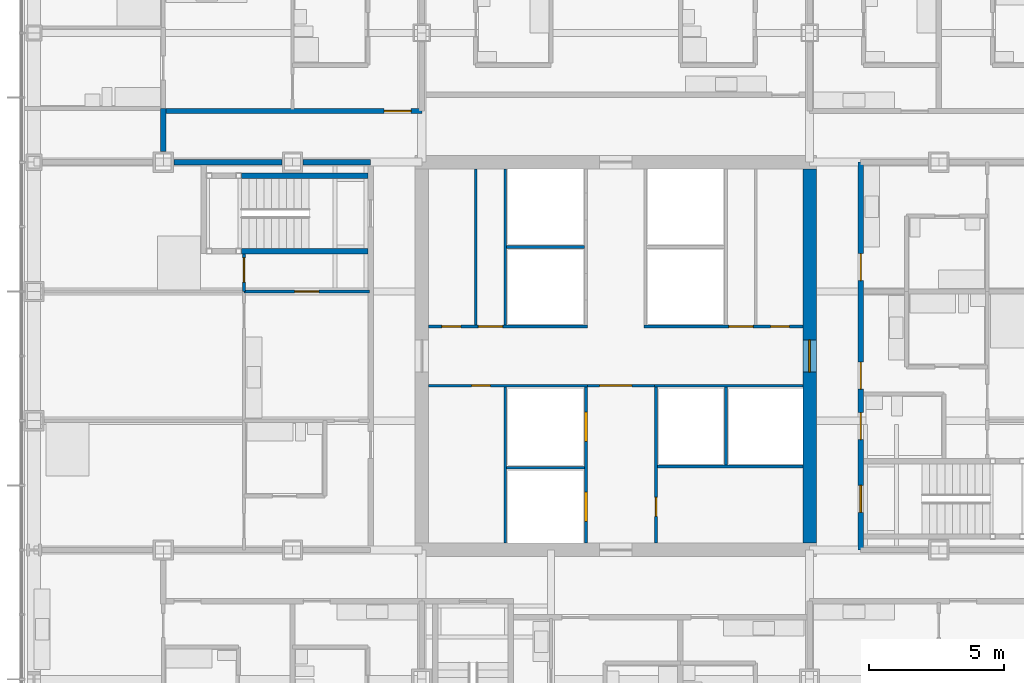
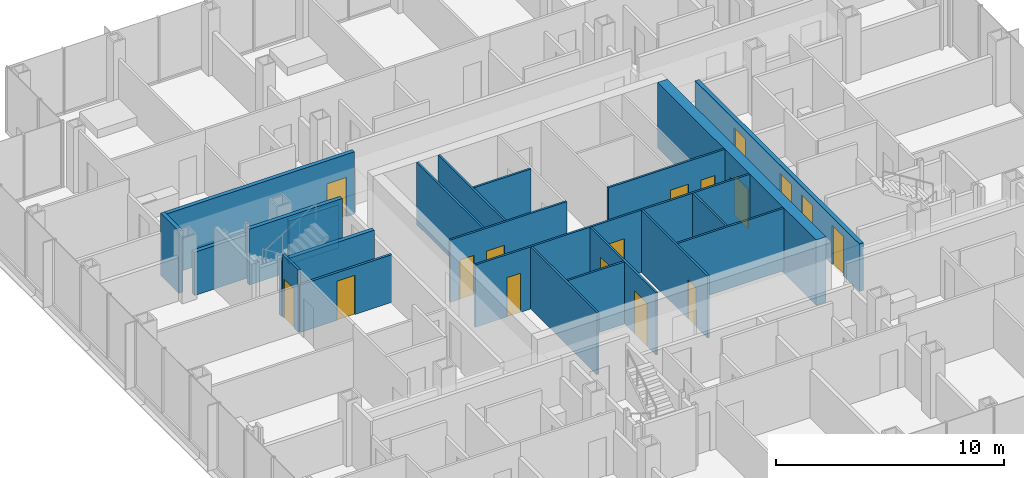
# One storey, part 15 of 21: 24 walls, 17 doors, 17 openings.
"""IFC4 building model written with IfcOpenShell, lengths in metres."""

from ifc_helpers import new_model, si_unit, direction, frame, frame_2d, origin, place, context, subcontext, project, spatial, rectangle, extrude, material, layer, layer_set, type_object, element, fill, save


model = new_model("IFC4")

# Units and contexts
model_context = context("Model", 3, precision=1e-05, world=origin(), true_north=direction((0.0, 1.0)))
body_context = subcontext(model_context, "Body", "Model", "MODEL_VIEW")
ifc_project = project(units=[si_unit("LENGTHUNIT", "METRE"), si_unit("AREAUNIT", "SQUARE_METRE"), si_unit("VOLUMEUNIT", "CUBIC_METRE"), si_unit("PLANEANGLEUNIT", "RADIAN"), si_unit("MASSUNIT", "GRAM", prefix="KILO")], contexts=[model_context])

# Site, building, storey
site_placement = place(None, origin())
site = spatial("IfcSite", under=ifc_project, at=site_placement, CompositionType="ELEMENT")
building_placement = place(site_placement, origin())
building = spatial("IfcBuilding", under=site, at=building_placement, Name="Kvirike Care Tower", CompositionType="ELEMENT")
storey_placement = place(building_placement, frame((0.0, 0.0, 44.5)))
storey = spatial("IfcBuildingStorey", under=building, at=storey_placement, Name="L11", CompositionType="ELEMENT", Elevation=44.5)

# Wall, opening, door
ifc_material_1 = material(Name="Concrete C60/75", Category="concrete")
ifc_layer_1 = layer(ifc_material_1, 0.5)
ifc_layer_set_1 = layer_set([ifc_layer_1], Name="CORE WALL 500 C60-75")
wall_type_1 = type_object("IfcWallType", Name="CORE WALL 500 C60-75", PredefinedType="SHEAR", material=ifc_layer_set_1)
wall_1_placement = place(storey_placement, frame((28.800048828125, 29.050048828125, -0.169921875), z_axis=(0.0, 0.0, 1.0), x_axis=(0.0, 1.0, 0.0)))
wall_1 = element("IfcWall", 1, at=wall_1_placement, inside=storey, type_object=wall_type_1, Name="Core wall E L11", PredefinedType="SHEAR", context=body_context, shape_type="SweptSolid", body=[
    extrude(rectangle(XDim=13.89990234375, YDim=0.5, at=frame_2d((6.949951171875, 0.0))), origin(), (0.0, 0.0, 1.0), 3.5),
])
opening_1_placement = place(wall_1_placement, frame((6.35009765625, 0.0, 0.169921875)))
opening_1 = element("IfcOpeningElement", 2, at=opening_1_placement, cuts=wall_1, Name="Opening 11-077", PredefinedType="OPENING", context=body_context, shape_type="SweptSolid", body=[
    extrude(rectangle(XDim=1.199951171875, YDim=2.10009765625, at=frame_2d((0.60009765625, 1.050048828125))), frame((0.0, 0.260498046875, 0.0), z_axis=(0.0, -1.0, 0.0), x_axis=(1.0, 0.0, 0.0)), (0.0, 0.0, 1.0), 0.52099609375),
])
ifc_material_2 = material(Name="Timber door set", Category="wood")
door_type_1 = type_object("IfcDoorType", Name="CORE DOOR 1200", OperationType="SINGLE_SWING_LEFT", PredefinedType="DOOR", material=ifc_material_2)
door_1_placement = place(opening_1_placement, origin())
door_1 = element("IfcDoor", 3, at=door_1_placement, inside=storey, type_object=door_type_1, Name="Core door E L11", OperationType="SINGLE_SWING_LEFT", OverallHeight=2.10009765625, OverallWidth=1.199951171875, PredefinedType="DOOR", context=body_context, shape_type="SweptSolid", body=[
    extrude(rectangle(XDim=1.199951171875, YDim=2.10009765625, at=frame_2d((0.60009765625, 1.050048828125))), frame((0.0, 0.02685546875, 0.0), z_axis=(0.0, -1.0, 0.0), x_axis=(1.0, 0.0, 0.0)), (0.0, 0.0, 1.0), 0.053955078125),
])
fill(opening_1, door_1)

ifc_material_3 = material(Name="Plasterboard corridor wall", Category="gypsum")
ifc_layer_2 = layer(ifc_material_3, 0.199951171875)
ifc_layer_set_2 = layer_set([ifc_layer_2], Name="CORRIDOR WALL 200")
wall_type_2 = type_object("IfcWallType", Name="CORRIDOR WALL 200", PredefinedType="PARTITIONING", material=ifc_layer_set_2)
wall_2_placement = place(storey_placement, frame((14.39990234375, 45.10009765625, 0.0), z_axis=(0.0, 0.0, 1.0), x_axis=(-1.0, 0.0, 0.0)))
wall_2 = element("IfcWall", 4, at=wall_2_placement, inside=storey, type_object=wall_type_2, Name="Corridor Wall 200 L11", PredefinedType="PARTITIONING", context=body_context, shape_type="SweptSolid", body=[
    extrude(rectangle(XDim=9.599853515625, YDim=0.199951171875, at=frame_2d((4.7998046875, 0.0))), origin(), (0.0, 0.0, 1.0), 3.330078125),
])
opening_2_placement = place(wall_2_placement, frame((0.39990234375, 0.0, 0.0)))
opening_2 = element("IfcOpeningElement", 5, at=opening_2_placement, cuts=wall_2, Name="Opening 11-023", PredefinedType="OPENING", context=body_context, shape_type="SweptSolid", body=[
    extrude(rectangle(XDim=1.0, YDim=2.10009765625, at=frame_2d((0.5, 1.050048828125))), frame((0.0, 0.110595703125, 0.0), z_axis=(0.0, -1.0, 0.0), x_axis=(1.0, 0.0, 0.0)), (0.0, 0.0, 1.0), 0.220947265625),
])
ifc_material_4 = material(Name="Timber door set", Category="wood")
door_type_2 = type_object("IfcDoorType", Name="FLAT ENTRANCE DOOR 1000", OperationType="SINGLE_SWING_LEFT", PredefinedType="DOOR", material=ifc_material_4)
door_2_placement = place(opening_2_placement, frame((1.0, 0.0, 0.0), z_axis=(0.0, 0.0, 1.0), x_axis=(-1.0, 0.0, 0.0)))
door_2 = element("IfcDoor", 6, at=door_2_placement, inside=storey, type_object=door_type_2, Name="Three-bedroom corner apartment entrance", OperationType="SINGLE_SWING_LEFT", OverallHeight=2.10009765625, OverallWidth=1.0, PredefinedType="DOOR", context=body_context, shape_type="SweptSolid", body=[
    extrude(rectangle(XDim=1.0, YDim=2.10009765625, at=frame_2d((0.5, 1.050048828125))), frame((0.0, 0.02685546875, 0.0), z_axis=(0.0, -1.0, 0.0), x_axis=(1.0, 0.0, 0.0)), (0.0, 0.0, 1.0), 0.053955078125),
])
fill(opening_2, door_2)

# Wall
wall_3_placement = place(storey_placement, frame((4.800048828125, 45.199951171875, 0.0), z_axis=(0.0, 0.0, 1.0), x_axis=(0.0, -1.0, 0.0)))
element("IfcWall", 7, at=wall_3_placement, inside=storey, type_object=wall_type_2, Name="Corridor Wall 200 L11", PredefinedType="PARTITIONING", context=body_context, shape_type="SweptSolid", body=[
    extrude(rectangle(XDim=1.60498046875, YDim=0.199951171875, at=frame_2d((0.802490234375, 0.0))), origin(), (0.0, 0.0, 1.0), 3.330078125),
])

# Wall, openings, doors
wall_4_placement = place(storey_placement, frame((30.699951171875, 28.800048828125, 0.0), z_axis=(0.0, 0.0, 1.0), x_axis=(0.0, 1.0, 0.0)))
wall_4 = element("IfcWall", 8, at=wall_4_placement, inside=storey, type_object=wall_type_2, Name="Corridor Wall 200 L11", PredefinedType="PARTITIONING", context=body_context, shape_type="SweptSolid", body=[
    extrude(rectangle(XDim=14.39990234375, YDim=0.199951171875, at=frame_2d((7.199951171875, 0.0))), origin(), (0.0, 0.0, 1.0), 2.550048828125),
])
opening_3_placement = place(wall_4_placement, frame((1.39990234375, 0.0, 0.0)))
opening_3 = element("IfcOpeningElement", 9, at=opening_3_placement, cuts=wall_4, Name="Opening 11-052", PredefinedType="OPENING", context=body_context, shape_type="SweptSolid", body=[
    extrude(rectangle(XDim=1.0, YDim=2.10009765625, at=frame_2d((0.5, 1.050048828125))), frame((0.0, 0.110595703125, 0.0), z_axis=(0.0, -1.0, 0.0), x_axis=(1.0, 0.0, 0.0)), (0.0, 0.0, 1.0), 0.220947265625),
])
opening_4_placement = place(wall_4_placement, frame((4.10009765625, 0.0, 0.0)))
opening_4 = element("IfcOpeningElement", 10, at=opening_4_placement, cuts=wall_4, Name="Opening 11-053", PredefinedType="OPENING", context=body_context, shape_type="SweptSolid", body=[
    extrude(rectangle(XDim=1.0, YDim=2.10009765625, at=frame_2d((0.5, 1.050048828125))), frame((0.0, 0.110595703125, 0.0), z_axis=(0.0, -1.0, 0.0), x_axis=(1.0, 0.0, 0.0)), (0.0, 0.0, 1.0), 0.220947265625),
])
opening_5_placement = place(wall_4_placement, frame((5.97509765625, 0.0, 0.0)))
opening_5 = element("IfcOpeningElement", 11, at=opening_5_placement, cuts=wall_4, Name="Opening 11-054", PredefinedType="OPENING", context=body_context, shape_type="SweptSolid", body=[
    extrude(rectangle(XDim=1.0, YDim=2.10009765625, at=frame_2d((0.5, 1.050048828125))), frame((0.0, 0.110595703125, 0.0), z_axis=(0.0, -1.0, 0.0), x_axis=(1.0, 0.0, 0.0)), (0.0, 0.0, 1.0), 0.220947265625),
])
opening_6_placement = place(wall_4_placement, frame((10.0, 0.0, 0.0)))
opening_6 = element("IfcOpeningElement", 12, at=opening_6_placement, cuts=wall_4, Name="Opening 11-055", PredefinedType="OPENING", context=body_context, shape_type="SweptSolid", body=[
    extrude(rectangle(XDim=1.0, YDim=2.10009765625, at=frame_2d((0.5, 1.050048828125))), frame((0.0, 0.110595703125, 0.0), z_axis=(0.0, -1.0, 0.0), x_axis=(1.0, 0.0, 0.0)), (0.0, 0.0, 1.0), 0.220947265625),
])
door_3_placement = place(opening_5_placement, frame((1.0, 0.0, 0.0), z_axis=(0.0, 0.0, 1.0), x_axis=(-1.0, 0.0, 0.0)))
door_3 = element("IfcDoor", 13, at=door_3_placement, inside=storey, type_object=door_type_2, Name="One-bedroom apartment entrance", OperationType="SINGLE_SWING_LEFT", OverallHeight=2.10009765625, OverallWidth=1.0, PredefinedType="DOOR", context=body_context, shape_type="SweptSolid", body=[
    extrude(rectangle(XDim=1.0, YDim=2.10009765625, at=frame_2d((0.5, 1.050048828125))), frame((0.0, 0.02685546875, 0.0), z_axis=(0.0, -1.0, 0.0), x_axis=(1.0, 0.0, 0.0)), (0.0, 0.0, 1.0), 0.053955078125),
])
fill(opening_5, door_3)
door_4_placement = place(opening_6_placement, frame((1.0, 0.0, 0.0), z_axis=(0.0, 0.0, 1.0), x_axis=(-1.0, 0.0, 0.0)))
door_4 = element("IfcDoor", 14, at=door_4_placement, inside=storey, type_object=door_type_2, Name="Studio apartment entrance", OperationType="SINGLE_SWING_LEFT", OverallHeight=2.10009765625, OverallWidth=1.0, PredefinedType="DOOR", context=body_context, shape_type="SweptSolid", body=[
    extrude(rectangle(XDim=1.0, YDim=2.10009765625, at=frame_2d((0.5, 1.050048828125))), frame((0.0, 0.02685546875, 0.0), z_axis=(0.0, -1.0, 0.0), x_axis=(1.0, 0.0, 0.0)), (0.0, 0.0, 1.0), 0.053955078125),
])
fill(opening_6, door_4)
ifc_material_5 = material(Name="Timber door set", Category="wood")
door_type_3 = type_object("IfcDoorType", Name="STAIR DOOR 1000", OperationType="SINGLE_SWING_LEFT", PredefinedType="DOOR", material=ifc_material_5)
door_5_placement = place(opening_3_placement, frame((1.0, 0.0, 0.0), z_axis=(0.0, 0.0, 1.0), x_axis=(-1.0, 0.0, 0.0)))
door_5 = element("IfcDoor", 15, at=door_5_placement, inside=storey, type_object=door_type_3, Name="Stair 2 door", OperationType="SINGLE_SWING_RIGHT", OverallHeight=2.10009765625, OverallWidth=1.0, PredefinedType="DOOR", context=body_context, shape_type="SweptSolid", body=[
    extrude(rectangle(XDim=1.0, YDim=2.10009765625, at=frame_2d((0.5, 1.050048828125))), frame((0.0, 0.031982421875, 0.0), z_axis=(0.0, -1.0, 0.0), x_axis=(1.0, 0.0, 0.0)), (0.0, 0.0, 1.0), 0.06396484375),
])
fill(opening_3, door_5)
ifc_material_6 = material(Name="Timber door set", Category="wood")
door_type_4 = type_object("IfcDoorType", Name="WC DOOR 1000", OperationType="SINGLE_SWING_LEFT", PredefinedType="DOOR", material=ifc_material_6)
door_6_placement = place(opening_4_placement, frame((1.0, 0.0, 0.0), z_axis=(0.0, 0.0, 1.0), x_axis=(-1.0, 0.0, 0.0)))
door_6 = element("IfcDoor", 16, at=door_6_placement, inside=storey, type_object=door_type_4, Name="Accessible WC door", OperationType="SINGLE_SWING_LEFT", OverallHeight=2.10009765625, OverallWidth=1.0, PredefinedType="DOOR", context=body_context, shape_type="SweptSolid", body=[
    extrude(rectangle(XDim=1.0, YDim=2.10009765625, at=frame_2d((0.5, 1.050048828125))), frame((0.0, 0.02685546875, 0.0), z_axis=(0.0, -1.0, 0.0), x_axis=(1.0, 0.0, 0.0)), (0.0, 0.0, 1.0), 0.053955078125),
])
fill(opening_4, door_6)

# Wall, opening, door
ifc_material_7 = material(Name="Plasterboard partition", Category="gypsum")
ifc_layer_3 = layer(ifc_material_7, 0.1201171875)
ifc_layer_set_3 = layer_set([ifc_layer_3], Name="PARTITION 120")
wall_type_3 = type_object("IfcWallType", Name="PARTITION 120", PredefinedType="PARTITIONING", material=ifc_layer_set_3)
wall_5_placement = place(storey_placement, frame((7.800048828125, 38.39990234375, 0.0), z_axis=(0.0, 0.0, 1.0), x_axis=(1.0, 0.0, 0.0)))
wall_5 = element("IfcWall", 17, at=wall_5_placement, inside=storey, type_object=wall_type_3, Name="Partition 120 L11", PredefinedType="PARTITIONING", context=body_context, shape_type="SweptSolid", body=[
    extrude(rectangle(XDim=4.64990234375, YDim=0.1201171875, at=frame_2d((2.324951171875, 0.0))), origin(), (0.0, 0.0, 1.0), 2.550048828125),
])
opening_7_placement = place(wall_5_placement, frame((1.875, 0.0, 0.0)))
opening_7 = element("IfcOpeningElement", 18, at=opening_7_placement, cuts=wall_5, Name="Opening 11-010", PredefinedType="OPENING", context=body_context, shape_type="SweptSolid", body=[
    extrude(rectangle(XDim=0.89990234375, YDim=2.10009765625, at=frame_2d((0.449951171875, 1.050048828125))), frame((0.0, 0.070556640625, 0.0), z_axis=(0.0, -1.0, 0.0), x_axis=(1.0, 0.0, 0.0)), (0.0, 0.0, 1.0), 0.14111328125),
])
ifc_material_8 = material(Name="Timber door set", Category="wood")
door_type_5 = type_object("IfcDoorType", Name="INTERNAL DOOR 900", OperationType="SINGLE_SWING_LEFT", PredefinedType="DOOR", material=ifc_material_8)
door_7_placement = place(opening_7_placement, origin())
door_7 = element("IfcDoor", 19, at=door_7_placement, inside=storey, type_object=door_type_5, Name="Hall door", OperationType="SINGLE_SWING_LEFT", OverallHeight=2.10009765625, OverallWidth=0.89990234375, PredefinedType="DOOR", context=body_context, shape_type="SweptSolid", body=[
    extrude(rectangle(XDim=0.89990234375, YDim=2.10009765625, at=frame_2d((0.449951171875, 1.050048828125))), frame((0.0, 0.02197265625, 0.0), z_axis=(0.0, -1.0, 0.0), x_axis=(1.0, 0.0, 0.0)), (0.0, 0.0, 1.0), 0.0439453125),
])
fill(opening_7, door_7)

wall_6_placement = place(storey_placement, frame((7.800048828125, 39.800048828125, 0.0), z_axis=(0.0, 0.0, 1.0), x_axis=(0.0, -1.0, 0.0)))
wall_6 = element("IfcWall", 20, at=wall_6_placement, inside=storey, type_object=wall_type_3, Name="Partition 120 L11", PredefinedType="PARTITIONING", context=body_context, shape_type="SweptSolid", body=[
    extrude(rectangle(XDim=1.400146484375, YDim=0.1201171875, at=frame_2d((0.7001953125, 0.0))), origin(), (0.0, 0.0, 1.0), 3.330078125),
])
opening_8_placement = place(wall_6_placement, frame((0.14990234375, 0.0, 0.0)))
opening_8 = element("IfcOpeningElement", 21, at=opening_8_placement, cuts=wall_6, Name="Opening 11-012", PredefinedType="OPENING", context=body_context, shape_type="SweptSolid", body=[
    extrude(rectangle(XDim=0.89990234375, YDim=2.10009765625, at=frame_2d((0.449951171875, 1.050048828125))), frame((0.0, 0.070556640625, 0.0), z_axis=(0.0, -1.0, 0.0), x_axis=(1.0, 0.0, 0.0)), (0.0, 0.0, 1.0), 0.14111328125),
])
door_8_placement = place(opening_8_placement, origin())
door_8 = element("IfcDoor", 22, at=door_8_placement, inside=storey, type_object=door_type_5, Name="Apartment bedroom door", OperationType="SINGLE_SWING_RIGHT", OverallHeight=2.10009765625, OverallWidth=0.89990234375, PredefinedType="DOOR", context=body_context, shape_type="SweptSolid", body=[
    extrude(rectangle(XDim=0.89990234375, YDim=2.10009765625, at=frame_2d((0.449951171875, 1.050048828125))), frame((0.0, 0.02197265625, 0.0), z_axis=(0.0, -1.0, 0.0), x_axis=(1.0, 0.0, 0.0)), (0.0, 0.0, 1.0), 0.0439453125),
])
fill(opening_8, door_8)

# Walls
ifc_material_9 = material(Name="Plasterboard party wall", Category="gypsum")
ifc_layer_4 = layer(ifc_material_9, 0.199951171875)
ifc_layer_set_4 = layer_set([ifc_layer_4], Name="PARTY WALL 200")
wall_type_4 = type_object("IfcWallType", Name="PARTY WALL 200", PredefinedType="PARTITIONING", material=ifc_layer_set_4)
wall_7_placement = place(storey_placement, frame((12.5, 43.199951171875, 0.0), z_axis=(0.0, 0.0, 1.0), x_axis=(-1.0, 0.0, 0.0)))
element("IfcWall", 23, at=wall_7_placement, inside=storey, type_object=wall_type_4, Name="Party Wall 200 L11", PredefinedType="PARTITIONING", context=body_context, shape_type="SweptSolid", body=[
    extrude(rectangle(XDim=2.5048828125, YDim=0.199951171875, at=frame_2d((1.25244140625, 0.0))), origin(), (0.0, 0.0, 1.0), 2.320068359375),
])
wall_8_placement = place(storey_placement, frame((9.205078125, 43.199951171875, 0.0), z_axis=(0.0, 0.0, 1.0), x_axis=(-1.0, 0.0, 0.0)))
element("IfcWall", 24, at=wall_8_placement, inside=storey, type_object=wall_type_4, Name="Party Wall 200 L11", PredefinedType="PARTITIONING", context=body_context, shape_type="SweptSolid", body=[
    extrude(rectangle(XDim=4.010009765625, YDim=0.199951171875, at=frame_2d((2.0048828125, 0.0))), origin(), (0.0, 0.0, 1.0), 2.320068359375),
])
ifc_material_10 = material(Name="Gypsum shaft wall system", Category="gypsum")
ifc_layer_5 = layer(ifc_material_10, 0.10009765625)
ifc_layer_set_5 = layer_set([ifc_layer_5], Name="SHAFT WALL 100")
wall_type_5 = type_object("IfcWallType", Name="SHAFT WALL 100", PredefinedType="SOLIDWALL", material=ifc_layer_set_5)
wall_9_placement = place(storey_placement, frame((16.39990234375, 37.14990234375, 0.0), z_axis=(0.0, 0.0, 1.0), x_axis=(0.0, 1.0, 0.0)))
element("IfcWall", 25, at=wall_9_placement, inside=storey, type_object=wall_type_5, Name="Shaft Wall 100 L11", PredefinedType="SOLIDWALL", context=body_context, shape_type="SweptSolid", body=[
    extrude(rectangle(XDim=5.800048828125, YDim=0.10009765625, at=frame_2d((2.89990234375, 0.0))), origin(), (0.0, 0.0, 1.0), 3.330078125),
])

# Wall, openings, doors
wall_10_placement = place(storey_placement, frame((20.5, 29.050048828125, 0.0), z_axis=(0.0, 0.0, 1.0), x_axis=(0.0, 1.0, 0.0)))
wall_10 = element("IfcWall", 26, at=wall_10_placement, inside=storey, type_object=wall_type_5, Name="Shaft Wall 100 L11", PredefinedType="SOLIDWALL", context=body_context, shape_type="SweptSolid", body=[
    extrude(rectangle(XDim=5.800048828125, YDim=0.10009765625, at=frame_2d((2.89990234375, 0.0))), origin(), (0.0, 0.0, 1.0), 3.330078125),
])
opening_9_placement = place(wall_10_placement, frame((0.800048828125, 0.0, 0.0)))
opening_9 = element("IfcOpeningElement", 27, at=opening_9_placement, cuts=wall_10, Name="Opening 11-064", PredefinedType="OPENING", context=body_context, shape_type="SweptSolid", body=[
    extrude(rectangle(XDim=1.10009765625, YDim=2.300048828125, at=frame_2d((0.550048828125, 1.14990234375))), frame((0.0, 0.060546875, 0.0), z_axis=(0.0, -1.0, 0.0), x_axis=(1.0, 0.0, 0.0)), (0.0, 0.0, 1.0), 0.12109375),
])
opening_10_placement = place(wall_10_placement, frame((3.77490234375, 0.0, 0.0)))
opening_10 = element("IfcOpeningElement", 28, at=opening_10_placement, cuts=wall_10, Name="Opening 11-065", PredefinedType="OPENING", context=body_context, shape_type="SweptSolid", body=[
    extrude(rectangle(XDim=1.10009765625, YDim=2.300048828125, at=frame_2d((0.550048828125, 1.14990234375))), frame((0.0, 0.060546875, 0.0), z_axis=(0.0, -1.0, 0.0), x_axis=(1.0, 0.0, 0.0)), (0.0, 0.0, 1.0), 0.12109375),
])
ifc_material_11 = material(Name="Aluminium door frame", Category="aluminium")
door_type_6 = type_object("IfcDoorType", Name="FIRE-FIGHTING LIFT LANDING DOOR 1100", OperationType="SLIDING_TO_LEFT", PredefinedType="DOOR", material=ifc_material_11)
door_9_placement = place(opening_9_placement, origin())
door_9 = element("IfcDoor", 29, at=door_9_placement, inside=storey, type_object=door_type_6, Name="Lift FF1 landing door", OperationType="SLIDING_TO_LEFT", OverallHeight=2.300048828125, OverallWidth=1.10009765625, PredefinedType="DOOR", context=body_context, shape_type="SweptSolid", body=[
    extrude(rectangle(XDim=1.10009765625, YDim=2.300048828125, at=frame_2d((0.550048828125, 1.14990234375))), frame((0.0, 0.0498046875, 0.0), z_axis=(0.0, -1.0, 0.0), x_axis=(1.0, 0.0, 0.0)), (0.0, 0.0, 1.0), 0.099609375),
])
fill(opening_9, door_9)
door_10_placement = place(opening_10_placement, origin())
door_10 = element("IfcDoor", 30, at=door_10_placement, inside=storey, type_object=door_type_6, Name="Lift FF2 landing door", OperationType="SLIDING_TO_LEFT", OverallHeight=2.300048828125, OverallWidth=1.10009765625, PredefinedType="DOOR", context=body_context, shape_type="SweptSolid", body=[
    extrude(rectangle(XDim=1.10009765625, YDim=2.300048828125, at=frame_2d((0.550048828125, 1.14990234375))), frame((0.0, 0.0498046875, 0.0), z_axis=(0.0, -1.0, 0.0), x_axis=(1.0, 0.0, 0.0)), (0.0, 0.0, 1.0), 0.099609375),
])
fill(opening_10, door_10)

# Wall, opening, door
wall_11_placement = place(storey_placement, frame((23.10009765625, 29.050048828125, 0.0), z_axis=(0.0, 0.0, 1.0), x_axis=(0.0, 1.0, 0.0)))
wall_11 = element("IfcWall", 31, at=wall_11_placement, inside=storey, type_object=wall_type_5, Name="Shaft Wall 100 L11", PredefinedType="SOLIDWALL", context=body_context, shape_type="SweptSolid", body=[
    extrude(rectangle(XDim=5.800048828125, YDim=0.10009765625, at=frame_2d((2.89990234375, 0.0))), origin(), (0.0, 0.0, 1.0), 3.330078125),
])
opening_11_placement = place(wall_11_placement, frame((1.0, 0.0, 0.0)))
opening_11 = element("IfcOpeningElement", 32, at=opening_11_placement, cuts=wall_11, Name="Opening 11-068", PredefinedType="OPENING", context=body_context, shape_type="SweptSolid", body=[
    extrude(rectangle(XDim=0.699951171875, YDim=2.10009765625, at=frame_2d((0.35009765625, 1.050048828125))), frame((0.0, 0.060546875, 0.0), z_axis=(0.0, -1.0, 0.0), x_axis=(1.0, 0.0, 0.0)), (0.0, 0.0, 1.0), 0.12109375),
])
ifc_material_12 = material(Name="Timber door set", Category="wood")
door_type_7 = type_object("IfcDoorType", Name="RISER DOOR 700", OperationType="SINGLE_SWING_LEFT", PredefinedType="DOOR", material=ifc_material_12)
door_11_placement = place(opening_11_placement, origin())
door_11 = element("IfcDoor", 33, at=door_11_placement, inside=storey, type_object=door_type_7, Name="Riser door", OperationType="SINGLE_SWING_RIGHT", OverallHeight=2.10009765625, OverallWidth=0.699951171875, PredefinedType="DOOR", context=body_context, shape_type="SweptSolid", body=[
    extrude(rectangle(XDim=0.699951171875, YDim=2.10009765625, at=frame_2d((0.35009765625, 1.050048828125))), frame((0.0, 0.02685546875, 0.0), z_axis=(0.0, -1.0, 0.0), x_axis=(1.0, 0.0, 0.0)), (0.0, 0.0, 1.0), 0.053955078125),
])
fill(opening_11, door_11)

wall_12_placement = place(storey_placement, frame((14.64990234375, 34.89990234375, 0.0), z_axis=(0.0, 0.0, 1.0), x_axis=(1.0, 0.0, 0.0)))
wall_12 = element("IfcWall", 34, at=wall_12_placement, inside=storey, type_object=wall_type_5, Name="Shaft Wall 100 L11", PredefinedType="SOLIDWALL", context=body_context, shape_type="SweptSolid", body=[
    extrude(rectangle(XDim=5.900146484375, YDim=0.10009765625, at=frame_2d((2.9501953125, 0.0))), origin(), (0.0, 0.0, 1.0), 3.330078125),
])
opening_12_placement = place(wall_12_placement, frame((1.60009765625, 0.0, 0.0)))
opening_12 = element("IfcOpeningElement", 35, at=opening_12_placement, cuts=wall_12, Name="Opening 11-069", PredefinedType="OPENING", context=body_context, shape_type="SweptSolid", body=[
    extrude(rectangle(XDim=0.699951171875, YDim=2.10009765625, at=frame_2d((0.35009765625, 1.050048828125))), frame((0.0, 0.060546875, 0.0), z_axis=(0.0, -1.0, 0.0), x_axis=(1.0, 0.0, 0.0)), (0.0, 0.0, 1.0), 0.12109375),
])
door_12_placement = place(opening_12_placement, frame((0.699951171875, 0.0, 0.0), z_axis=(0.0, 0.0, 1.0), x_axis=(-1.0, 0.0, 0.0)))
door_12 = element("IfcDoor", 36, at=door_12_placement, inside=storey, type_object=door_type_7, Name="Riser door", OperationType="SINGLE_SWING_RIGHT", OverallHeight=2.10009765625, OverallWidth=0.699951171875, PredefinedType="DOOR", context=body_context, shape_type="SweptSolid", body=[
    extrude(rectangle(XDim=0.699951171875, YDim=2.10009765625, at=frame_2d((0.35009765625, 1.050048828125))), frame((0.0, 0.02685546875, 0.0), z_axis=(0.0, -1.0, 0.0), x_axis=(1.0, 0.0, 0.0)), (0.0, 0.0, 1.0), 0.053955078125),
])
fill(opening_12, door_12)

# Wall
wall_13_placement = place(storey_placement, frame((23.050048828125, 34.89990234375, 0.0), z_axis=(0.0, 0.0, 1.0), x_axis=(1.0, 0.0, 0.0)))
element("IfcWall", 37, at=wall_13_placement, inside=storey, type_object=wall_type_5, Name="Shaft Wall 100 L11", PredefinedType="SOLIDWALL", context=body_context, shape_type="SweptSolid", body=[
    extrude(rectangle(XDim=5.5, YDim=0.10009765625, at=frame_2d((2.75, 0.0))), origin(), (0.0, 0.0, 1.0), 3.330078125),
])

# Wall, openings, doors
wall_14_placement = place(storey_placement, frame((14.64990234375, 37.10009765625, 0.0), z_axis=(0.0, 0.0, 1.0), x_axis=(1.0, 0.0, 0.0)))
wall_14 = element("IfcWall", 38, at=wall_14_placement, inside=storey, type_object=wall_type_5, Name="Shaft Wall 100 L11", PredefinedType="SOLIDWALL", context=body_context, shape_type="SweptSolid", body=[
    extrude(rectangle(XDim=5.900146484375, YDim=0.10009765625, at=frame_2d((2.9501953125, 0.0))), origin(), (0.0, 0.0, 1.0), 3.330078125),
])
opening_13_placement = place(wall_14_placement, frame((0.5, 0.0, 0.0)))
opening_13 = element("IfcOpeningElement", 39, at=opening_13_placement, cuts=wall_14, Name="Opening 11-070", PredefinedType="OPENING", context=body_context, shape_type="SweptSolid", body=[
    extrude(rectangle(XDim=0.699951171875, YDim=2.10009765625, at=frame_2d((0.35009765625, 1.050048828125))), frame((0.0, 0.060546875, 0.0), z_axis=(0.0, -1.0, 0.0), x_axis=(1.0, 0.0, 0.0)), (0.0, 0.0, 1.0), 0.12109375),
])
opening_14_placement = place(wall_14_placement, frame((1.85009765625, 0.0, 0.0)))
opening_14 = element("IfcOpeningElement", 40, at=opening_14_placement, cuts=wall_14, Name="Opening 11-071", PredefinedType="OPENING", context=body_context, shape_type="SweptSolid", body=[
    extrude(rectangle(XDim=0.89990234375, YDim=2.10009765625, at=frame_2d((0.449951171875, 1.050048828125))), frame((0.0, 0.060546875, 0.0), z_axis=(0.0, -1.0, 0.0), x_axis=(1.0, 0.0, 0.0)), (0.0, 0.0, 1.0), 0.12109375),
])
door_13_placement = place(opening_13_placement, origin())
door_13 = element("IfcDoor", 41, at=door_13_placement, inside=storey, type_object=door_type_7, Name="Riser door", OperationType="SINGLE_SWING_RIGHT", OverallHeight=2.10009765625, OverallWidth=0.699951171875, PredefinedType="DOOR", context=body_context, shape_type="SweptSolid", body=[
    extrude(rectangle(XDim=0.699951171875, YDim=2.10009765625, at=frame_2d((0.35009765625, 1.050048828125))), frame((0.0, 0.02685546875, 0.0), z_axis=(0.0, -1.0, 0.0), x_axis=(1.0, 0.0, 0.0)), (0.0, 0.0, 1.0), 0.053955078125),
])
fill(opening_13, door_13)
ifc_material_13 = material(Name="Timber door set", Category="wood")
door_type_8 = type_object("IfcDoorType", Name="STORE DOOR 900", OperationType="SINGLE_SWING_LEFT", PredefinedType="DOOR", material=ifc_material_13)
door_14_placement = place(opening_14_placement, origin())
door_14 = element("IfcDoor", 42, at=door_14_placement, inside=storey, type_object=door_type_8, Name="Vending and ice room door", OperationType="SINGLE_SWING_LEFT", OverallHeight=2.10009765625, OverallWidth=0.89990234375, PredefinedType="DOOR", context=body_context, shape_type="SweptSolid", body=[
    extrude(rectangle(XDim=0.89990234375, YDim=2.10009765625, at=frame_2d((0.449951171875, 1.050048828125))), frame((0.0, 0.02685546875, 0.0), z_axis=(0.0, -1.0, 0.0), x_axis=(1.0, 0.0, 0.0)), (0.0, 0.0, 1.0), 0.053955078125),
])
fill(opening_14, door_14)

wall_15_placement = place(storey_placement, frame((22.64990234375, 37.10009765625, 0.0), z_axis=(0.0, 0.0, 1.0), x_axis=(1.0, 0.0, 0.0)))
wall_15 = element("IfcWall", 43, at=wall_15_placement, inside=storey, type_object=wall_type_5, Name="Shaft Wall 100 L11", PredefinedType="SOLIDWALL", context=body_context, shape_type="SweptSolid", body=[
    extrude(rectangle(XDim=5.900146484375, YDim=0.10009765625, at=frame_2d((2.9501953125, 0.0))), origin(), (0.0, 0.0, 1.0), 3.330078125),
])
opening_15_placement = place(wall_15_placement, frame((3.14990234375, 0.0, 0.0)))
opening_15 = element("IfcOpeningElement", 44, at=opening_15_placement, cuts=wall_15, Name="Opening 11-072", PredefinedType="OPENING", context=body_context, shape_type="SweptSolid", body=[
    extrude(rectangle(XDim=0.89990234375, YDim=2.10009765625, at=frame_2d((0.449951171875, 1.050048828125))), frame((0.0, 0.060546875, 0.0), z_axis=(0.0, -1.0, 0.0), x_axis=(1.0, 0.0, 0.0)), (0.0, 0.0, 1.0), 0.12109375),
])
opening_16_placement = place(wall_15_placement, frame((4.699951171875, 0.0, 0.0)))
opening_16 = element("IfcOpeningElement", 45, at=opening_16_placement, cuts=wall_15, Name="Opening 11-073", PredefinedType="OPENING", context=body_context, shape_type="SweptSolid", body=[
    extrude(rectangle(XDim=0.699951171875, YDim=2.10009765625, at=frame_2d((0.35009765625, 1.050048828125))), frame((0.0, 0.060546875, 0.0), z_axis=(0.0, -1.0, 0.0), x_axis=(1.0, 0.0, 0.0)), (0.0, 0.0, 1.0), 0.12109375),
])
door_15_placement = place(opening_16_placement, origin())
door_15 = element("IfcDoor", 46, at=door_15_placement, inside=storey, type_object=door_type_7, Name="Riser door", OperationType="SINGLE_SWING_LEFT", OverallHeight=2.10009765625, OverallWidth=0.699951171875, PredefinedType="DOOR", context=body_context, shape_type="SweptSolid", body=[
    extrude(rectangle(XDim=0.699951171875, YDim=2.10009765625, at=frame_2d((0.35009765625, 1.050048828125))), frame((0.0, 0.02685546875, 0.0), z_axis=(0.0, -1.0, 0.0), x_axis=(1.0, 0.0, 0.0)), (0.0, 0.0, 1.0), 0.053955078125),
])
fill(opening_16, door_15)
door_16_placement = place(opening_15_placement, origin())
door_16 = element("IfcDoor", 47, at=door_16_placement, inside=storey, type_object=door_type_8, Name="Records store door", OperationType="SINGLE_SWING_RIGHT", OverallHeight=2.10009765625, OverallWidth=0.89990234375, PredefinedType="DOOR", context=body_context, shape_type="SweptSolid", body=[
    extrude(rectangle(XDim=0.89990234375, YDim=2.10009765625, at=frame_2d((0.449951171875, 1.050048828125))), frame((0.0, 0.02685546875, 0.0), z_axis=(0.0, -1.0, 0.0), x_axis=(1.0, 0.0, 0.0)), (0.0, 0.0, 1.0), 0.053955078125),
])
fill(opening_15, door_16)

# Wall, opening, door
wall_16_placement = place(storey_placement, frame((20.550048828125, 34.89990234375, 0.0), z_axis=(0.0, 0.0, 1.0), x_axis=(1.0, 0.0, 0.0)))
wall_16 = element("IfcWall", 48, at=wall_16_placement, inside=storey, type_object=wall_type_5, Name="Shaft Wall 100 L11", PredefinedType="SOLIDWALL", context=body_context, shape_type="SweptSolid", body=[
    extrude(rectangle(XDim=2.5, YDim=0.10009765625, at=frame_2d((1.25, 0.0))), origin(), (0.0, 0.0, 1.0), 3.330078125),
])
opening_17_placement = place(wall_16_placement, frame((0.449951171875, 0.0, 0.0)))
opening_17 = element("IfcOpeningElement", 49, at=opening_17_placement, cuts=wall_16, Name="Opening 11-074", PredefinedType="OPENING", context=body_context, shape_type="SweptSolid", body=[
    extrude(rectangle(XDim=1.199951171875, YDim=2.10009765625, at=frame_2d((0.60009765625, 1.050048828125))), frame((0.0, 0.060546875, 0.0), z_axis=(0.0, -1.0, 0.0), x_axis=(1.0, 0.0, 0.0)), (0.0, 0.0, 1.0), 0.12109375),
])
door_17_placement = place(opening_17_placement, frame((1.199951171875, 0.0, 0.0), z_axis=(0.0, 0.0, 1.0), x_axis=(-1.0, 0.0, 0.0)))
door_17 = element("IfcDoor", 50, at=door_17_placement, inside=storey, type_object=door_type_1, Name="Fire-fighting lobby door", OperationType="SINGLE_SWING_LEFT", OverallHeight=2.10009765625, OverallWidth=1.199951171875, PredefinedType="DOOR", context=body_context, shape_type="SweptSolid", body=[
    extrude(rectangle(XDim=1.199951171875, YDim=2.10009765625, at=frame_2d((0.60009765625, 1.050048828125))), frame((0.0, 0.02685546875, 0.0), z_axis=(0.0, -1.0, 0.0), x_axis=(1.0, 0.0, 0.0)), (0.0, 0.0, 1.0), 0.053955078125),
])
fill(opening_17, door_17)

# Walls
wall_17_placement = place(storey_placement, frame((17.5, 29.050048828125, 0.0), z_axis=(0.0, 0.0, 1.0), x_axis=(0.0, 1.0, 0.0)))
element("IfcWall", 51, at=wall_17_placement, inside=storey, type_object=wall_type_5, Name="Shaft Wall 100 L11", PredefinedType="SOLIDWALL", context=body_context, shape_type="SweptSolid", body=[
    extrude(rectangle(XDim=5.800048828125, YDim=0.10009765625, at=frame_2d((2.89990234375, 0.0))), origin(), (0.0, 0.0, 1.0), 3.330078125),
])
wall_18_placement = place(storey_placement, frame((17.550048828125, 31.85009765625, 0.0), z_axis=(0.0, 0.0, 1.0), x_axis=(1.0, 0.0, 0.0)))
element("IfcWall", 52, at=wall_18_placement, inside=storey, type_object=wall_type_5, Name="Shaft Wall 100 L11", PredefinedType="SOLIDWALL", context=body_context, shape_type="SweptSolid", body=[
    extrude(rectangle(XDim=2.89990234375, YDim=0.10009765625, at=frame_2d((1.449951171875, 0.0))), origin(), (0.0, 0.0, 1.0), 3.330078125),
])
wall_19_placement = place(storey_placement, frame((17.5, 37.14990234375, 0.0), z_axis=(0.0, 0.0, 1.0), x_axis=(0.0, 1.0, 0.0)))
element("IfcWall", 53, at=wall_19_placement, inside=storey, type_object=wall_type_5, Name="Shaft Wall 100 L11", PredefinedType="SOLIDWALL", context=body_context, shape_type="SweptSolid", body=[
    extrude(rectangle(XDim=5.800048828125, YDim=0.10009765625, at=frame_2d((2.89990234375, 0.0))), origin(), (0.0, 0.0, 1.0), 3.330078125),
])
wall_20_placement = place(storey_placement, frame((17.550048828125, 40.050048828125, 0.0), z_axis=(0.0, 0.0, 1.0), x_axis=(1.0, 0.0, 0.0)))
element("IfcWall", 54, at=wall_20_placement, inside=storey, type_object=wall_type_5, Name="Shaft Wall 100 L11", PredefinedType="SOLIDWALL", context=body_context, shape_type="SweptSolid", body=[
    extrude(rectangle(XDim=2.89990234375, YDim=0.10009765625, at=frame_2d((1.449951171875, 0.0))), origin(), (0.0, 0.0, 1.0), 3.330078125),
])
wall_21_placement = place(storey_placement, frame((25.699951171875, 31.949951171875, 0.0), z_axis=(0.0, 0.0, 1.0), x_axis=(0.0, 1.0, 0.0)))
element("IfcWall", 55, at=wall_21_placement, inside=storey, type_object=wall_type_5, Name="Shaft Wall 100 L11", PredefinedType="SOLIDWALL", context=body_context, shape_type="SweptSolid", body=[
    extrude(rectangle(XDim=2.900146484375, YDim=0.10009765625, at=frame_2d((1.4501953125, 0.0))), origin(), (0.0, 0.0, 1.0), 3.330078125),
])
wall_22_placement = place(storey_placement, frame((23.14990234375, 31.89990234375, 0.0), z_axis=(0.0, 0.0, 1.0), x_axis=(1.0, 0.0, 0.0)))
element("IfcWall", 56, at=wall_22_placement, inside=storey, type_object=wall_type_5, Name="Shaft Wall 100 L11", PredefinedType="SOLIDWALL", context=body_context, shape_type="SweptSolid", body=[
    extrude(rectangle(XDim=5.400146484375, YDim=0.10009765625, at=frame_2d((2.7001953125, 0.0))), origin(), (0.0, 0.0, 1.0), 3.330078125),
])
ifc_material_14 = material(Name="Concrete C40/50", Category="concrete")
ifc_layer_6 = layer(ifc_material_14, 0.199951171875)
ifc_layer_set_6 = layer_set([ifc_layer_6], Name="STAIR WALL 200")
wall_type_6 = type_object("IfcWallType", Name="STAIR WALL 200", PredefinedType="SOLIDWALL", material=ifc_layer_set_6)
for number, where, z_axis, x_axis, name in (
    (57, (7.699951171875, 42.699951171875, 0.0), (0.0, 0.0, 1.0), (1.0, 0.0, 0.0), "Stair Wall 200 L11"),
    (58, (7.699951171875, 39.89990234375, 0.0), (0.0, 0.0, 1.0), (1.0, 0.0, 0.0), "Stair Wall 200 L11"),
):
    element("IfcWall", number, at=place(storey_placement, frame(where, z_axis=z_axis, x_axis=x_axis)), inside=storey, type_object=wall_type_6, Name=name, PredefinedType="SOLIDWALL", context=body_context, shape_type="SweptSolid", body=[
        extrude(rectangle(XDim=4.699951171875, YDim=0.199951171875, at=frame_2d((2.35009765625, 0.0))), origin(), (0.0, 0.0, 1.0), 2.989990234375),
    ])

save(model, "model.ifc")
